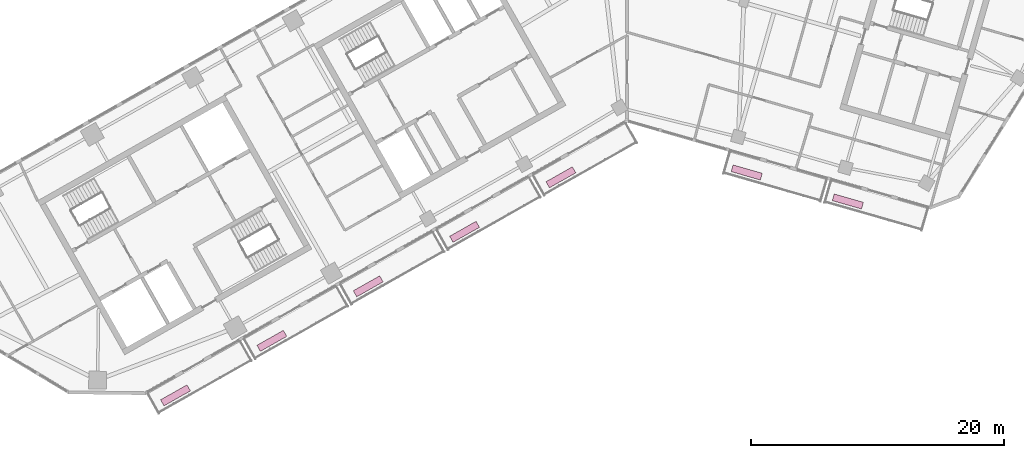
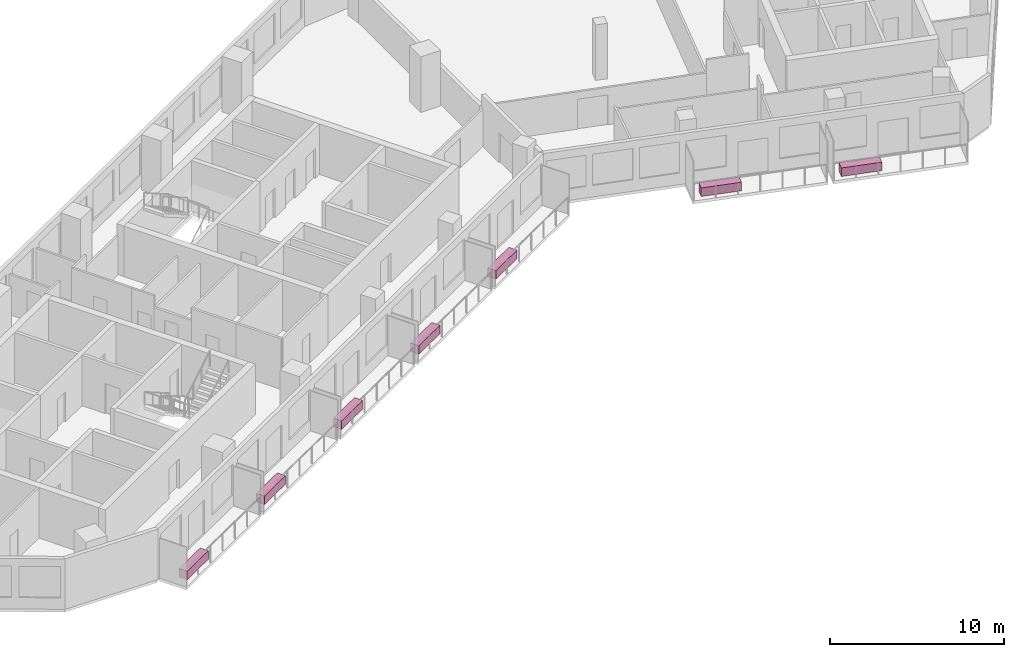
# One storey, part 11 of 11: 7 furnishings.
"""IFC4 building model written with IfcOpenShell, lengths in metres."""

from ifc_helpers import new_model, si_unit, direction, frame, origin, origin_2d, place, context, subcontext, project, spatial, rectangle, extrude, material, type_object, element, save


model = new_model("IFC4")

# Units and contexts
model_context = context("Model", 3, precision=1e-05, world=origin(), true_north=direction((0.0, 1.0)))
body_context = subcontext(model_context, "Body", "Model", "MODEL_VIEW")
ifc_project = project(units=[si_unit("LENGTHUNIT", "METRE"), si_unit("AREAUNIT", "SQUARE_METRE"), si_unit("VOLUMEUNIT", "CUBIC_METRE"), si_unit("PLANEANGLEUNIT", "RADIAN"), si_unit("MASSUNIT", "GRAM", prefix="KILO")], contexts=[model_context])

# Site, building, storey
site_placement = place(None, origin())
site = spatial("IfcSite", under=ifc_project, at=site_placement, CompositionType="ELEMENT")
building_placement = place(site_placement, origin())
building = spatial("IfcBuilding", under=site, at=building_placement, Name="Binnacle Exchange Tower", CompositionType="ELEMENT")
storey_placement = place(building_placement, frame((0.0, 0.0, 227.0)))
storey = spatial("IfcBuildingStorey", under=building, at=storey_placement, Name="L50", CompositionType="ELEMENT", Elevation=227.0)

# Furnishings
ifc_material = material(Name="Concrete C35/45", Category="concrete")
furnishing_element_type = type_object("IfcFurnishingElementType", Name="PLANTER 2400x550x600", material=ifc_material)
for number, where, z_axis, x_axis, name in (
    (1, (-35.698486328125, 26.2861328125, 0.0), (0.0, 0.0, 1.0), (0.87035569594, 0.492423560103, 0.0), "Planter G01-B00a L50"),
    (2, (-28.078857421875, 30.59716796875, 0.0), (0.0, 0.0, 1.0), (0.87035569594, 0.492423560103, 0.0), "Planter G01-B01a L50"),
    (3, (-20.459228515625, 34.908203125, 0.0), (0.0, 0.0, 1.0), (0.87035569594, 0.492423560103, 0.0), "Planter G01-B02a L50"),
    (4, (-12.839599609375, 39.218994140625, 0.0), (0.0, 0.0, 1.0), (0.87035569594, 0.492423560103, 0.0), "Planter G01-B03a L50"),
    (5, (-5.22021484375, 43.530029296875, 0.0), (0.0, 0.0, 1.0), (0.87035569594, 0.492423560103, 0.0), "Planter G01-B04a L50"),
    (6, (9.474609375, 43.909912109375, 0.0), (0.0, 0.0, 1.0), (0.961261695938, -0.275637355817, 0.0), "Planter G02-B01a L50"),
    (7, (17.47265625, 41.61669921875, 0.0), (0.0, 0.0, 1.0), (0.961261695938, -0.275637355817, 0.0), "Planter G02-B02a L50"),
):
    element("IfcFurnishingElement", number, at=place(storey_placement, frame(where, z_axis=z_axis, x_axis=x_axis)), inside=storey, type_object=furnishing_element_type, Name=name, ObjectType="PLANTER", context=body_context, shape_type="SweptSolid", body=[
        extrude(rectangle(XDim=2.39990234375, YDim=0.550048828125, at=origin_2d()), origin(), (0.0, 0.0, 1.0), 0.60009765625),
    ])

save(model, "model.ifc")
